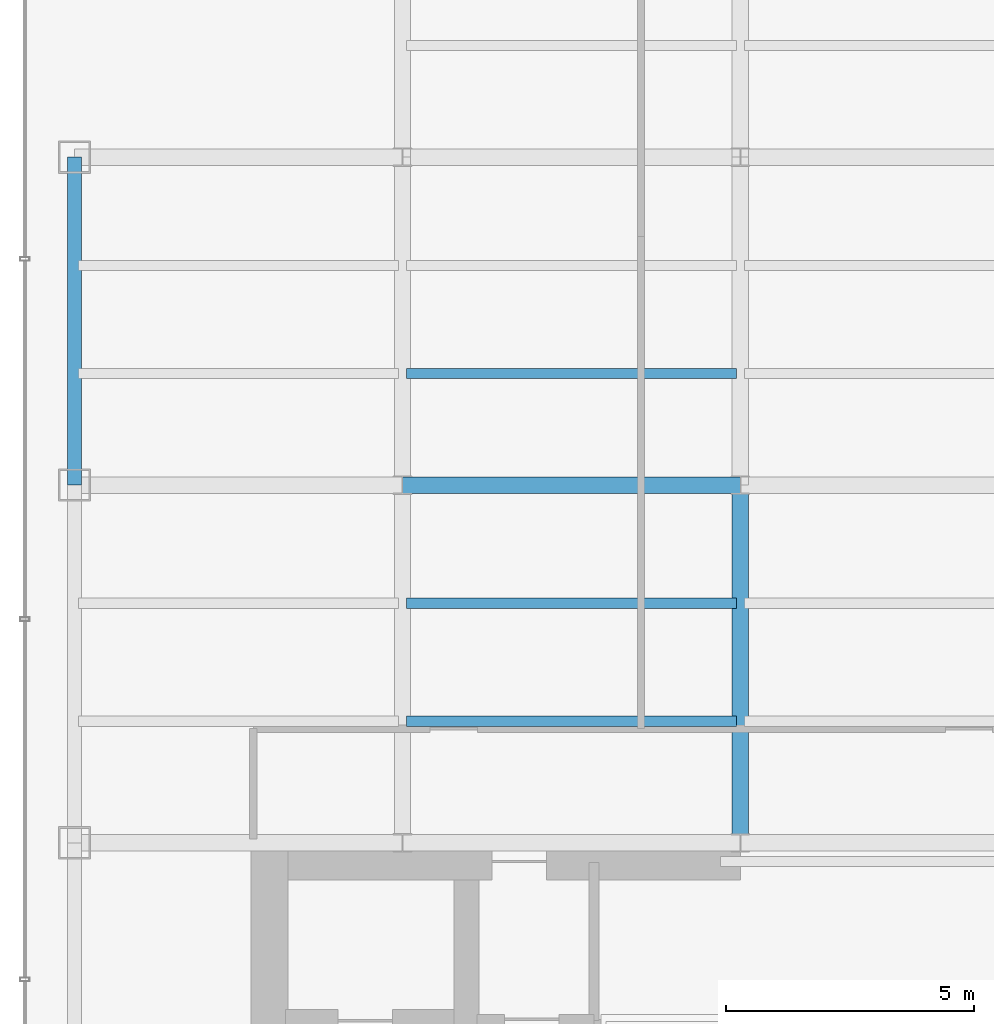
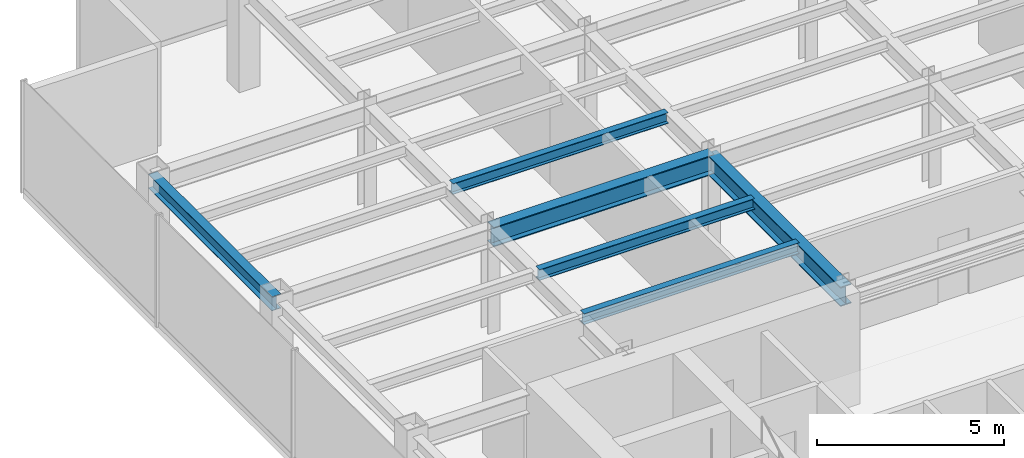
# One storey, part 6 of 25: 6 beams.
"""IFC4 building model written with IfcOpenShell, lengths in metres."""

from ifc_helpers import new_model, si_unit, derived_unit, direction, frame, origin, origin_2d, place, context, subcontext, project, spatial, i_section, extrude, source, transform, mapped, material, material_profile, profile_set, type_object, element, save


model = new_model("IFC4")

# Units and contexts
model_context = context("Model", 3, precision=1e-05, world=origin(), true_north=direction((0.0, 1.0)))
body_context = subcontext(model_context, "Body", "Model", "MODEL_VIEW")
ifc_project = project(units=[si_unit("LENGTHUNIT", "METRE"), si_unit("AREAUNIT", "SQUARE_METRE"), si_unit("VOLUMEUNIT", "CUBIC_METRE"), si_unit("PLANEANGLEUNIT", "RADIAN"), si_unit("MASSUNIT", "GRAM", prefix="KILO"), derived_unit("THERMALTRANSMITTANCEUNIT", [(si_unit("POWERUNIT", "WATT"), 1), (si_unit("LENGTHUNIT", "METRE"), -2), (si_unit("THERMODYNAMICTEMPERATUREUNIT", "KELVIN"), -1)])], contexts=[model_context])

# Site, building, storey
site_placement = place(None, origin())
site = spatial("IfcSite", under=ifc_project, at=site_placement, CompositionType="ELEMENT")
building_placement = place(site_placement, origin())
building = spatial("IfcBuilding", under=site, at=building_placement, Name="Skarnbrae Concourse Arena and Tower", CompositionType="ELEMENT")
storey_placement = place(building_placement, frame((0.0, 0.0, 166.14990234375)))
storey = spatial("IfcBuildingStorey", under=building, at=storey_placement, Name="L42", CompositionType="ELEMENT", Elevation=166.14990234375)

# Beams
ifc_material = material(Name="Steel CSA G40.21 350W", Category="steel")
ifc_material_profile_1 = material_profile(ifc_material, i_section(OverallWidth=0.3291015625, OverallDepth=0.635009765625, WebThickness=0.017822265625, FlangeThickness=0.031005859375, at=origin_2d()), Name="W610X241")
ifc_profile_set_1 = profile_set([ifc_material_profile_1], Name="Steel CSA G40.21 350W")
beam_type_1 = type_object("IfcBeamType", Name="BM-GIRD-W610X241", PredefinedType="BEAM", material=ifc_profile_set_1)
shared_shape_1 = source(origin(), body_context, "Body", "SweptSolid", [
    extrude(i_section(OverallWidth=0.3291015625, OverallDepth=0.635009765625, WebThickness=0.017822265625, FlangeThickness=0.031005859375, at=origin_2d()), origin(), (0.0, 0.0, 1.0), 6.7998046875),
])
beam_1_placement = place(storey_placement, frame((7.60009765625, 21.199951171875, 3.08251953125), z_axis=(1.0, 0.0, 0.0), x_axis=(0.0, 1.0, 0.0)))
element("IfcBeam", 1, at=beam_1_placement, inside=storey, type_object=beam_type_1, Name="L42 Primary E-W girder Y21.2-2", PredefinedType="BEAM", context=body_context, shape_type="MappedRepresentation", body=[
    mapped(shared_shape_1, transform((0.0, 0.0, 0.0))),
])
ifc_material_profile_2 = material_profile(ifc_material, i_section(OverallWidth=0.280029296875, OverallDepth=0.462890625, WebThickness=0.0107421875, FlangeThickness=0.017333984375, at=origin_2d()), Name="W460X113")
ifc_profile_set_2 = profile_set([ifc_material_profile_2], Name="Steel CSA G40.21 350W")
beam_type_2 = type_object("IfcBeamType", Name="BM-SPAN-W460X113", PredefinedType="SPANDREL", material=ifc_profile_set_2)
shared_shape_2 = source(origin(), body_context, "Body", "SweptSolid", [
    extrude(i_section(OverallWidth=0.280029296875, OverallDepth=0.462890625, WebThickness=0.0107421875, FlangeThickness=0.017333984375, at=origin_2d()), origin(), (0.0, 0.0, 1.0), 6.60009765625),
])
beam_2_placement = place(storey_placement, frame((1.0, 21.199951171875, 3.168701171875), z_axis=(0.0, 1.0, 0.0), x_axis=(-1.0, 0.0, 0.0)))
element("IfcBeam", 2, at=beam_2_placement, inside=storey, type_object=beam_type_2, Name="L42 Perimeter spandrel X1.0-3", PredefinedType="SPANDREL", context=body_context, shape_type="MappedRepresentation", body=[
    mapped(shared_shape_2, transform((0.0, 0.0, 0.0))),
])
shared_shape_3 = source(origin(), body_context, "Body", "SweptSolid", [
    extrude(i_section(OverallWidth=0.3291015625, OverallDepth=0.635009765625, WebThickness=0.017822265625, FlangeThickness=0.031005859375, at=origin_2d()), origin(), (0.0, 0.0, 1.0), 7.199951171875),
])
beam_3_placement = place(storey_placement, frame((14.39990234375, 14.0, 3.08251953125), z_axis=(0.0, 1.0, 0.0), x_axis=(-1.0, 0.0, 0.0)))
element("IfcBeam", 3, at=beam_3_placement, inside=storey, type_object=beam_type_1, Name="L42 Primary N-S girder X14.4-1", PredefinedType="BEAM", context=body_context, shape_type="MappedRepresentation", body=[
    mapped(shared_shape_3, transform((0.0, 0.0, 0.0))),
])
ifc_material_profile_3 = material_profile(ifc_material, i_section(OverallWidth=0.205078125, OverallDepth=0.35400390625, WebThickness=0.009521484375, FlangeThickness=0.016845703125, at=origin_2d()), Name="W360X79")
ifc_profile_set_3 = profile_set([ifc_material_profile_3], Name="Steel CSA G40.21 350W")
beam_type_3 = type_object("IfcBeamType", Name="BM-JOIST-W360X79", PredefinedType="JOIST", material=ifc_profile_set_3)
shared_shape_4 = source(origin(), body_context, "Body", "SweptSolid", [
    extrude(i_section(OverallWidth=0.205078125, OverallDepth=0.35400390625, WebThickness=0.009521484375, FlangeThickness=0.016845703125, at=origin_2d()), origin(), (0.0, 0.0, 1.0), 6.64013671875),
])
for number, where, z_axis, x_axis, name in (
    (4, (7.679931640625, 16.447998046875, 3.22314453125), (1.0, 0.0, 0.0), (0.0, 1.0, 0.0), "L42 Secondary floor joist 1.1.2"),
    (5, (7.679931640625, 18.823974609375, 3.22314453125), (1.0, 0.0, 0.0), (0.0, 1.0, 0.0), "L42 Secondary floor joist 1.2.2"),
    (6, (7.679931640625, 23.444091796875, 3.22314453125), (1.0, 0.0, 0.0), (0.0, 1.0, 0.0), "L42 Secondary floor joist 2.1.2"),
):
    element("IfcBeam", number, at=place(storey_placement, frame(where, z_axis=z_axis, x_axis=x_axis)), inside=storey, type_object=beam_type_3, Name=name, PredefinedType="JOIST", context=body_context, shape_type="MappedRepresentation", body=[
        mapped(shared_shape_4, transform((0.0, 0.0, 0.0))),
    ])

save(model, "model.ifc")
